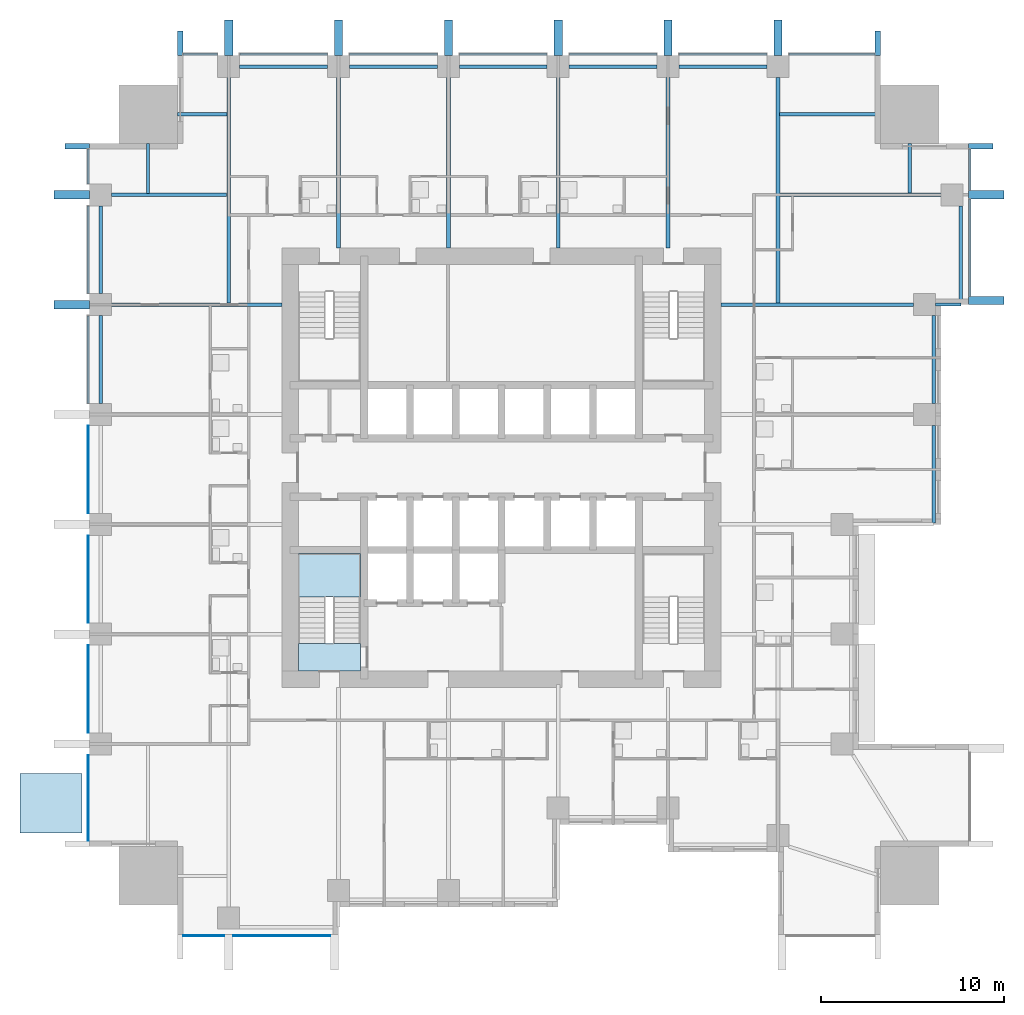
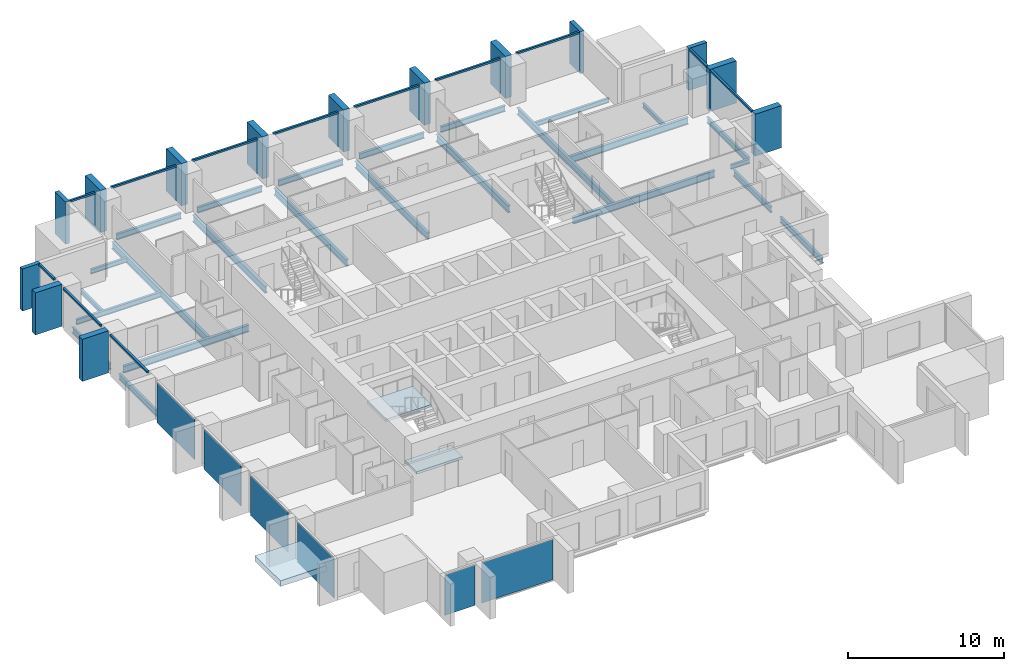
# One storey, part 2 of 10: 26 members, 25 beams, 6 plates, 3 slabs, 5 elements without a shape of their own.
"""IFC4 building model written with IfcOpenShell, lengths in metres."""

from ifc_helpers import new_model, si_unit, direction, frame, origin, origin_2d, place, context, subcontext, project, spatial, polyline, rectangle, i_section, outline, extrude, material, layer, layer_set, material_profile, profile_set, type_object, element, aggregate, save


model = new_model("IFC4")

# Units and contexts
model_context = context("Model", 3, precision=1e-05, world=origin(), true_north=direction((0.0, 1.0)))
body_context = subcontext(model_context, "Body", "Model", "MODEL_VIEW")
ifc_project = project(units=[si_unit("LENGTHUNIT", "METRE"), si_unit("AREAUNIT", "SQUARE_METRE"), si_unit("VOLUMEUNIT", "CUBIC_METRE"), si_unit("PLANEANGLEUNIT", "RADIAN"), si_unit("MASSUNIT", "GRAM", prefix="KILO")], contexts=[model_context])

# Site, building, storey
site_placement = place(None, origin())
site = spatial("IfcSite", under=ifc_project, at=site_placement, CompositionType="ELEMENT")
building_placement = place(site_placement, origin())
building = spatial("IfcBuilding", under=site, at=building_placement, Name="Amberfall Residences", CompositionType="ELEMENT")
storey_placement = place(building_placement, frame((0.0, 0.0, 26.800048828125)))
storey = spatial("IfcBuildingStorey", under=building, at=storey_placement, Name="L06", CompositionType="ELEMENT", Elevation=26.800048828125)

# Curtain wall, members
ifc_material_1 = material(Name="Bronze anodised aluminium and glass", Category="aluminium")
curtain_wall_type = type_object("IfcCurtainWallType", Name="Curtain wall CW1 tower unit", PredefinedType="USERDEFINED", material=ifc_material_1)
curtain_wall_1_placement = place(storey_placement, origin())
curtain_wall_1 = element("IfcCurtainWall", 1, at=curtain_wall_1_placement, inside=storey, type_object=curtain_wall_type, Name="Curtain wall L06 E E9", ObjectType="UNITISED CURTAIN WALL", PredefinedType="USERDEFINED")
ifc_material_2 = material(Name="Bronze anodised aluminium", Category="aluminium")
ifc_material_profile_1 = material_profile(ifc_material_2, rectangle(XDim=0.14990234375, YDim=0.14990234375, at=origin_2d()), Name="CW1 transom 150 x 150 bronze")
ifc_profile_set_1 = profile_set([ifc_material_profile_1], Name="Bronze anodised aluminium")
member_type_1 = type_object("IfcMemberType", Name="CW1 transom 150 x 150 bronze", PredefinedType="USERDEFINED", material=ifc_profile_set_1)
member_1_placement = place(storey_placement, frame((100.074951171875, 54.85009765625, 2.974853515625), z_axis=(0.0, 1.0, 0.0), x_axis=(-1.0, 0.0, 0.0)))
member_1 = element("IfcMember", 2, at=member_1_placement, type_object=member_type_1, Name="CW1 transom 1.1", ObjectType="TRANSOM", PredefinedType="USERDEFINED", context=body_context, shape_type="SweptSolid", body=[
    extrude(rectangle(XDim=0.14990234375, YDim=0.14990234375, at=origin_2d()), origin(), (0.0, 0.0, 1.0), 5.324951171875),
])
member_2_placement = place(storey_placement, frame((100.074951171875, 60.625, 2.974853515625), z_axis=(0.0, 1.0, 0.0), x_axis=(-1.0, 0.0, 0.0)))
member_2 = element("IfcMember", 3, at=member_2_placement, type_object=member_type_1, Name="CW1 transom 2.1", ObjectType="TRANSOM", PredefinedType="USERDEFINED", context=body_context, shape_type="SweptSolid", body=[
    extrude(rectangle(XDim=0.14990234375, YDim=0.14990234375, at=origin_2d()), origin(), (0.0, 0.0, 1.0), 2.27490234375),
])

curtain_wall_2_placement = place(storey_placement, origin())
curtain_wall_2 = element("IfcCurtainWall", 4, at=curtain_wall_2_placement, inside=storey, type_object=curtain_wall_type, Name="Curtain wall L06 N N1", ObjectType="UNITISED CURTAIN WALL", PredefinedType="USERDEFINED")
member_3_placement = place(storey_placement, frame((94.89990234375, 68.074951171875, 2.974853515625), z_axis=(-1.0, 0.0, 0.0), x_axis=(0.0, -1.0, 0.0)))
member_3 = element("IfcMember", 5, at=member_3_placement, type_object=member_type_1, Name="CW1 transom 1.1", ObjectType="TRANSOM", PredefinedType="USERDEFINED", context=body_context, shape_type="SweptSolid", body=[
    extrude(rectangle(XDim=0.14990234375, YDim=0.14990234375, at=origin_2d()), origin(), (0.0, 0.0, 1.0), 4.69482421875),
])
member_4_placement = place(storey_placement, frame((88.9951171875, 68.074951171875, 2.974853515625), z_axis=(-1.0, 0.0, 0.0), x_axis=(0.0, -1.0, 0.0)))
member_4 = element("IfcMember", 6, at=member_4_placement, type_object=member_type_1, Name="CW1 transom 2.1", ObjectType="TRANSOM", PredefinedType="USERDEFINED", context=body_context, shape_type="SweptSolid", body=[
    extrude(rectangle(XDim=0.14990234375, YDim=0.14990234375, at=origin_2d()), origin(), (0.0, 0.0, 1.0), 4.7900390625),
])
member_5_placement = place(storey_placement, frame((82.9951171875, 68.074951171875, 2.974853515625), z_axis=(-1.0, 0.0, 0.0), x_axis=(0.0, -1.0, 0.0)))
member_5 = element("IfcMember", 7, at=member_5_placement, type_object=member_type_1, Name="CW1 transom 3.1", ObjectType="TRANSOM", PredefinedType="USERDEFINED", context=body_context, shape_type="SweptSolid", body=[
    extrude(rectangle(XDim=0.14990234375, YDim=0.14990234375, at=origin_2d()), origin(), (0.0, 0.0, 1.0), 4.7900390625),
])
member_6_placement = place(storey_placement, frame((76.9951171875, 68.074951171875, 2.974853515625), z_axis=(-1.0, 0.0, 0.0), x_axis=(0.0, -1.0, 0.0)))
member_6 = element("IfcMember", 8, at=member_6_placement, type_object=member_type_1, Name="CW1 transom 4.1", ObjectType="TRANSOM", PredefinedType="USERDEFINED", context=body_context, shape_type="SweptSolid", body=[
    extrude(rectangle(XDim=0.14990234375, YDim=0.14990234375, at=origin_2d()), origin(), (0.0, 0.0, 1.0), 4.7900390625),
])
member_7_placement = place(storey_placement, frame((70.9951171875, 68.074951171875, 2.974853515625), z_axis=(-1.0, 0.0, 0.0), x_axis=(0.0, -1.0, 0.0)))
member_7 = element("IfcMember", 9, at=member_7_placement, type_object=member_type_1, Name="CW1 transom 5.1", ObjectType="TRANSOM", PredefinedType="USERDEFINED", context=body_context, shape_type="SweptSolid", body=[
    extrude(rectangle(XDim=0.14990234375, YDim=0.14990234375, at=origin_2d()), origin(), (0.0, 0.0, 1.0), 4.7900390625),
])
member_8_placement = place(storey_placement, frame((64.9951171875, 68.074951171875, 2.974853515625), z_axis=(-1.0, 0.0, 0.0), x_axis=(0.0, -1.0, 0.0)))
member_8 = element("IfcMember", 10, at=member_8_placement, type_object=member_type_1, Name="CW1 transom 6.1", ObjectType="TRANSOM", PredefinedType="USERDEFINED", context=body_context, shape_type="SweptSolid", body=[
    extrude(rectangle(XDim=0.14990234375, YDim=0.14990234375, at=origin_2d()), origin(), (0.0, 0.0, 1.0), 4.7900390625),
])
member_9_placement = place(storey_placement, frame((58.9951171875, 68.074951171875, 2.974853515625), z_axis=(-1.0, 0.0, 0.0), x_axis=(0.0, -1.0, 0.0)))
member_9 = element("IfcMember", 11, at=member_9_placement, type_object=member_type_1, Name="CW1 transom 7.1", ObjectType="TRANSOM", PredefinedType="USERDEFINED", context=body_context, shape_type="SweptSolid", body=[
    extrude(rectangle(XDim=0.14990234375, YDim=0.14990234375, at=origin_2d()), origin(), (0.0, 0.0, 1.0), 1.89501953125),
])

curtain_wall_3_placement = place(storey_placement, origin())
curtain_wall_3 = element("IfcCurtainWall", 12, at=curtain_wall_3_placement, inside=storey, type_object=curtain_wall_type, Name="Curtain wall L06 W W1", ObjectType="UNITISED CURTAIN WALL", PredefinedType="USERDEFINED")
member_10_placement = place(storey_placement, frame((51.925048828125, 62.89990234375, 2.974853515625), z_axis=(0.0, -1.0, 0.0), x_axis=(1.0, 0.0, 0.0)))
member_10 = element("IfcMember", 13, at=member_10_placement, type_object=member_type_1, Name="CW1 transom 1.1", ObjectType="TRANSOM", PredefinedType="USERDEFINED", context=body_context, shape_type="SweptSolid", body=[
    extrude(rectangle(XDim=0.14990234375, YDim=0.14990234375, at=origin_2d()), origin(), (0.0, 0.0, 1.0), 1.89501953125),
])
member_11_placement = place(storey_placement, frame((51.925048828125, 59.794921875, 2.974853515625), z_axis=(0.0, -1.0, 0.0), x_axis=(1.0, 0.0, 0.0)))
member_11 = element("IfcMember", 14, at=member_11_placement, type_object=member_type_1, Name="CW1 transom 2.1", ObjectType="TRANSOM", PredefinedType="USERDEFINED", context=body_context, shape_type="SweptSolid", body=[
    extrude(rectangle(XDim=0.14990234375, YDim=0.14990234375, at=origin_2d()), origin(), (0.0, 0.0, 1.0), 4.7900390625),
])
member_12_placement = place(storey_placement, frame((51.925048828125, 53.794921875, 2.974853515625), z_axis=(0.0, -1.0, 0.0), x_axis=(1.0, 0.0, 0.0)))
member_12 = element("IfcMember", 15, at=member_12_placement, type_object=member_type_1, Name="CW1 transom 3.1", ObjectType="TRANSOM", PredefinedType="USERDEFINED", context=body_context, shape_type="SweptSolid", body=[
    extrude(rectangle(XDim=0.14990234375, YDim=0.14990234375, at=origin_2d()), origin(), (0.0, 0.0, 1.0), 4.7900390625),
])

# Beam
ifc_material_3 = material(Name="Steel S355", Category="steel")
ifc_material_profile_2 = material_profile(ifc_material_3, i_section(OverallWidth=0.171142578125, OverallDepth=0.351318359375, WebThickness=0.007080078125, FlangeThickness=0.009765625, FilletRadius=0.01025390625, at=origin_2d()), Name="UB 356x171x45")
ifc_profile_set_2 = profile_set([ifc_material_profile_2], Name="Steel S355")
beam_type_1 = type_object("IfcBeamType", Name="Cantilever girder UB 356x171x45", PredefinedType="BEAM", material=ifc_profile_set_2)
beam_1_placement = place(storey_placement, frame((98.199951171875, 54.39990234375, -0.42578125), z_axis=(1.0, 0.0, 0.0), x_axis=(0.0, 1.0, 0.0)))
element("IfcBeam", 16, at=beam_1_placement, inside=storey, type_object=beam_type_1, Name="Cantilever girder B8 L06 21", PredefinedType="BEAM", context=body_context, shape_type="SweptSolid", body=[
    extrude(i_section(OverallWidth=0.171142578125, OverallDepth=0.351318359375, WebThickness=0.007080078125, FlangeThickness=0.009765625, FilletRadius=0.01025390625, at=origin_2d()), origin(), (0.0, 0.0, 1.0), 1.400146484375),
])

# Member
ifc_material_profile_3 = material_profile(ifc_material_2, rectangle(XDim=1.35009765625, YDim=0.300048828125, at=origin_2d()), Name="Corner fin 300 x 1350 bronze")
ifc_profile_set_3 = profile_set([ifc_material_profile_3], Name="Bronze anodised aluminium")
member_type_2 = type_object("IfcMemberType", Name="Corner fin 300 x 1350 bronze", PredefinedType="MULLION", material=ifc_profile_set_3)
member_13_placement = place(storey_placement, frame((100.675048828125, 63.050048828125, -0.25), z_axis=(0.0, 0.0, 1.0), x_axis=(-1.0, 0.0, 0.0)))
member_13 = element("IfcMember", 17, at=member_13_placement, type_object=member_type_2, Name="CW FIN 3", PredefinedType="MULLION", context=body_context, shape_type="SweptSolid", body=[
    extrude(rectangle(XDim=1.35009765625, YDim=0.300048828125, at=origin_2d()), origin(), (0.0, 0.0, 1.0), 3.300048828125),
])

member_14_placement = place(storey_placement, frame((95.050048828125, 68.675048828125, -0.25), z_axis=(0.0, 0.0, 1.0), x_axis=(0.0, -1.0, 0.0)))
member_14 = element("IfcMember", 18, at=member_14_placement, type_object=member_type_2, Name="CW FIN 1", PredefinedType="MULLION", context=body_context, shape_type="SweptSolid", body=[
    extrude(rectangle(XDim=1.35009765625, YDim=0.300048828125, at=origin_2d()), origin(), (0.0, 0.0, 1.0), 3.300048828125),
])

member_15_placement = place(storey_placement, frame((56.949951171875, 68.675048828125, -0.25), z_axis=(0.0, 0.0, 1.0), x_axis=(0.0, -1.0, 0.0)))
member_15 = element("IfcMember", 19, at=member_15_placement, type_object=member_type_2, Name="CW FIN 8", PredefinedType="MULLION", context=body_context, shape_type="SweptSolid", body=[
    extrude(rectangle(XDim=1.35009765625, YDim=0.300048828125, at=origin_2d()), origin(), (0.0, 0.0, 1.0), 3.300048828125),
])

member_16_placement = place(storey_placement, frame((51.324951171875, 63.050048828125, -0.25), z_axis=(0.0, 0.0, 1.0), x_axis=(1.0, 0.0, 0.0)))
member_16 = element("IfcMember", 20, at=member_16_placement, type_object=member_type_2, Name="CW FIN 1", PredefinedType="MULLION", context=body_context, shape_type="SweptSolid", body=[
    extrude(rectangle(XDim=1.35009765625, YDim=0.300048828125, at=origin_2d()), origin(), (0.0, 0.0, 1.0), 3.300048828125),
])

# Beams
ifc_material_profile_4 = material_profile(ifc_material_3, i_section(OverallWidth=0.18994140625, OverallDepth=0.453369140625, WebThickness=0.008544921875, FlangeThickness=0.0126953125, FilletRadius=0.01025390625, at=origin_2d()), Name="UB 457x191x67")
ifc_profile_set_4 = profile_set([ifc_material_profile_4], Name="Steel S355")
beam_type_2 = type_object("IfcBeamType", Name="Edge beam UB 457x191x67", PredefinedType="SPANDREL", material=ifc_profile_set_4)
beam_2_placement = place(storey_placement, frame((98.10009765625, 42.47998046875, -0.476806640625), z_axis=(0.0, 1.0, 0.0), x_axis=(-1.0, 0.0, 0.0)))
element("IfcBeam", 21, at=beam_2_placement, inside=storey, type_object=beam_type_2, Name="Edge beam B1 L06 17", PredefinedType="SPANDREL", context=body_context, shape_type="SweptSolid", body=[
    extrude(i_section(OverallWidth=0.18994140625, OverallDepth=0.453369140625, WebThickness=0.008544921875, FlangeThickness=0.0126953125, FilletRadius=0.01025390625, at=origin_2d()), origin(), (0.0, 0.0, 1.0), 5.320068359375),
])
beam_3_placement = place(storey_placement, frame((98.10009765625, 49.0, -0.476806640625), z_axis=(0.0, 1.0, 0.0), x_axis=(-1.0, 0.0, 0.0)))
element("IfcBeam", 22, at=beam_3_placement, inside=storey, type_object=beam_type_2, Name="Edge beam B1 L06 18", PredefinedType="SPANDREL", context=body_context, shape_type="SweptSolid", body=[
    extrude(i_section(OverallWidth=0.18994140625, OverallDepth=0.453369140625, WebThickness=0.008544921875, FlangeThickness=0.0126953125, FilletRadius=0.01025390625, at=origin_2d()), origin(), (0.0, 0.0, 1.0), 4.800048828125),
])
beam_4_placement = place(storey_placement, frame((99.60009765625, 54.47998046875, -0.476806640625), z_axis=(0.0, 1.0, 0.0), x_axis=(-1.0, 0.0, 0.0)))
element("IfcBeam", 23, at=beam_4_placement, inside=storey, type_object=beam_type_2, Name="Edge beam B1 L06 19", PredefinedType="SPANDREL", context=body_context, shape_type="SweptSolid", body=[
    extrude(i_section(OverallWidth=0.18994140625, OverallDepth=0.453369140625, WebThickness=0.008544921875, FlangeThickness=0.0126953125, FilletRadius=0.01025390625, at=origin_2d()), origin(), (0.0, 0.0, 1.0), 5.320068359375),
])
for number, where, z_axis, x_axis, name in (
    (24, (60.199951171875, 67.39990234375, -0.476806640625), (1.0, 0.0, 0.0), (0.0, 1.0, 0.0), "Edge beam B1 L06 28"),
    (25, (66.199951171875, 67.39990234375, -0.476806640625), (1.0, 0.0, 0.0), (0.0, 1.0, 0.0), "Edge beam B1 L06 29"),
    (26, (72.199951171875, 67.39990234375, -0.476806640625), (1.0, 0.0, 0.0), (0.0, 1.0, 0.0), "Edge beam B1 L06 30"),
    (27, (78.199951171875, 67.39990234375, -0.476806640625), (1.0, 0.0, 0.0), (0.0, 1.0, 0.0), "Edge beam B1 L06 31"),
    (28, (84.199951171875, 67.39990234375, -0.476806640625), (1.0, 0.0, 0.0), (0.0, 1.0, 0.0), "Edge beam B1 L06 32"),
    (29, (52.60009765625, 49.0, -0.476806640625), (0.0, 1.0, 0.0), (-1.0, 0.0, 0.0), "Edge beam B1 L06 42"),
    (30, (52.60009765625, 55.0, -0.476806640625), (0.0, 1.0, 0.0), (-1.0, 0.0, 0.0), "Edge beam B1 L06 43"),
):
    element("IfcBeam", number, at=place(storey_placement, frame(where, z_axis=z_axis, x_axis=x_axis)), inside=storey, type_object=beam_type_2, Name=name, PredefinedType="SPANDREL", context=body_context, shape_type="SweptSolid", body=[
        extrude(i_section(OverallWidth=0.18994140625, OverallDepth=0.453369140625, WebThickness=0.008544921875, FlangeThickness=0.0126953125, FilletRadius=0.01025390625, at=origin_2d()), origin(), (0.0, 0.0, 1.0), 4.800048828125),
    ])

# Member
ifc_material_profile_5 = material_profile(ifc_material_2, rectangle(XDim=1.949951171875, YDim=0.449951171875, at=origin_2d()), Name="Fin 450 x 1950 bronze")
ifc_profile_set_5 = profile_set([ifc_material_profile_5], Name="Bronze anodised aluminium")
member_type_3 = type_object("IfcMemberType", Name="Fin 450 x 1950 bronze", PredefinedType="MULLION", material=ifc_profile_set_5)
member_17_placement = place(storey_placement, frame((100.97509765625, 54.625, -0.25), z_axis=(0.0, 0.0, 1.0), x_axis=(-1.0, 0.0, 0.0)))
member_17 = element("IfcMember", 31, at=member_17_placement, type_object=member_type_3, Name="CW FIN 1", PredefinedType="MULLION", context=body_context, shape_type="SweptSolid", body=[
    extrude(rectangle(XDim=1.949951171875, YDim=0.449951171875, at=origin_2d()), origin(), (0.0, 0.0, 1.0), 3.300048828125),
])

member_18_placement = place(storey_placement, frame((100.97509765625, 60.39990234375, -0.25), z_axis=(0.0, 0.0, 1.0), x_axis=(-1.0, 0.0, 0.0)))
member_18 = element("IfcMember", 32, at=member_18_placement, type_object=member_type_3, Name="CW FIN 2", PredefinedType="MULLION", context=body_context, shape_type="SweptSolid", body=[
    extrude(rectangle(XDim=1.949951171875, YDim=0.449951171875, at=origin_2d()), origin(), (0.0, 0.0, 1.0), 3.300048828125),
])

aggregate(curtain_wall_1, [member_17, member_18, member_13, member_1, member_2])

member_19_placement = place(storey_placement, frame((89.60009765625, 68.97509765625, -0.25), z_axis=(0.0, 0.0, 1.0), x_axis=(0.0, -1.0, 0.0)))
member_19 = element("IfcMember", 33, at=member_19_placement, type_object=member_type_3, Name="CW FIN 2", PredefinedType="MULLION", context=body_context, shape_type="SweptSolid", body=[
    extrude(rectangle(XDim=1.949951171875, YDim=0.449951171875, at=origin_2d()), origin(), (0.0, 0.0, 1.0), 3.300048828125),
])

member_20_placement = place(storey_placement, frame((83.60009765625, 68.97509765625, -0.25), z_axis=(0.0, 0.0, 1.0), x_axis=(0.0, -1.0, 0.0)))
member_20 = element("IfcMember", 34, at=member_20_placement, type_object=member_type_3, Name="CW FIN 3", PredefinedType="MULLION", context=body_context, shape_type="SweptSolid", body=[
    extrude(rectangle(XDim=1.949951171875, YDim=0.449951171875, at=origin_2d()), origin(), (0.0, 0.0, 1.0), 3.300048828125),
])

member_21_placement = place(storey_placement, frame((77.60009765625, 68.97509765625, -0.25), z_axis=(0.0, 0.0, 1.0), x_axis=(0.0, -1.0, 0.0)))
member_21 = element("IfcMember", 35, at=member_21_placement, type_object=member_type_3, Name="CW FIN 4", PredefinedType="MULLION", context=body_context, shape_type="SweptSolid", body=[
    extrude(rectangle(XDim=1.949951171875, YDim=0.449951171875, at=origin_2d()), origin(), (0.0, 0.0, 1.0), 3.300048828125),
])

member_22_placement = place(storey_placement, frame((71.60009765625, 68.97509765625, -0.25), z_axis=(0.0, 0.0, 1.0), x_axis=(0.0, -1.0, 0.0)))
member_22 = element("IfcMember", 36, at=member_22_placement, type_object=member_type_3, Name="CW FIN 5", PredefinedType="MULLION", context=body_context, shape_type="SweptSolid", body=[
    extrude(rectangle(XDim=1.949951171875, YDim=0.449951171875, at=origin_2d()), origin(), (0.0, 0.0, 1.0), 3.300048828125),
])

member_23_placement = place(storey_placement, frame((65.60009765625, 68.97509765625, -0.25), z_axis=(0.0, 0.0, 1.0), x_axis=(0.0, -1.0, 0.0)))
member_23 = element("IfcMember", 37, at=member_23_placement, type_object=member_type_3, Name="CW FIN 6", PredefinedType="MULLION", context=body_context, shape_type="SweptSolid", body=[
    extrude(rectangle(XDim=1.949951171875, YDim=0.449951171875, at=origin_2d()), origin(), (0.0, 0.0, 1.0), 3.300048828125),
])

member_24_placement = place(storey_placement, frame((59.60009765625, 68.97509765625, -0.25), z_axis=(0.0, 0.0, 1.0), x_axis=(0.0, -1.0, 0.0)))
member_24 = element("IfcMember", 38, at=member_24_placement, type_object=member_type_3, Name="CW FIN 7", PredefinedType="MULLION", context=body_context, shape_type="SweptSolid", body=[
    extrude(rectangle(XDim=1.949951171875, YDim=0.449951171875, at=origin_2d()), origin(), (0.0, 0.0, 1.0), 3.300048828125),
])

aggregate(curtain_wall_2, [member_14, member_19, member_20, member_21, member_22, member_23, member_24, member_15, member_3, member_4, member_5, member_6, member_7, member_8, member_9])

member_25_placement = place(storey_placement, frame((51.02490234375, 60.39990234375, -0.25), z_axis=(0.0, 0.0, 1.0), x_axis=(1.0, 0.0, 0.0)))
member_25 = element("IfcMember", 39, at=member_25_placement, type_object=member_type_3, Name="CW FIN 2", PredefinedType="MULLION", context=body_context, shape_type="SweptSolid", body=[
    extrude(rectangle(XDim=1.949951171875, YDim=0.449951171875, at=origin_2d()), origin(), (0.0, 0.0, 1.0), 3.300048828125),
])

member_26_placement = place(storey_placement, frame((51.02490234375, 54.39990234375, -0.25), z_axis=(0.0, 0.0, 1.0), x_axis=(1.0, 0.0, 0.0)))
member_26 = element("IfcMember", 40, at=member_26_placement, type_object=member_type_3, Name="CW FIN 3", PredefinedType="MULLION", context=body_context, shape_type="SweptSolid", body=[
    extrude(rectangle(XDim=1.949951171875, YDim=0.449951171875, at=origin_2d()), origin(), (0.0, 0.0, 1.0), 3.300048828125),
])

# Beams
ifc_material_profile_6 = material_profile(ifc_material_3, i_section(OverallWidth=0.177734375, OverallDepth=0.402587890625, WebThickness=0.0078125, FlangeThickness=0.010986328125, FilletRadius=0.01025390625, at=origin_2d()), Name="UB 406x178x54")
ifc_profile_set_6 = profile_set([ifc_material_profile_6], Name="Steel S355")
beam_type_3 = type_object("IfcBeamType", Name="Floor girder UB 406x178x54", PredefinedType="BEAM", material=ifc_profile_set_6)
beam_5_placement = place(storey_placement, frame((53.199951171875, 60.39990234375, -0.451416015625), z_axis=(1.0, 0.0, 0.0), x_axis=(0.0, 1.0, 0.0)))
element("IfcBeam", 41, at=beam_5_placement, inside=storey, type_object=beam_type_3, Name="Floor girder B4 L06 49", PredefinedType="BEAM", context=body_context, shape_type="SweptSolid", body=[
    extrude(i_section(OverallWidth=0.177734375, OverallDepth=0.402587890625, WebThickness=0.0078125, FlangeThickness=0.010986328125, FilletRadius=0.01025390625, at=origin_2d()), origin(), (0.0, 0.0, 1.0), 6.280029296875),
])
ifc_material_profile_7 = material_profile(ifc_material_3, i_section(OverallWidth=0.210693359375, OverallDepth=0.53955078125, WebThickness=0.01171875, FlangeThickness=0.018798828125, FilletRadius=0.0126953125, at=origin_2d()), Name="UB 533x210x109")
ifc_profile_set_7 = profile_set([ifc_material_profile_7], Name="Steel S355")
beam_type_4 = type_object("IfcBeamType", Name="Floor girder UB 533x210x109", PredefinedType="BEAM", material=ifc_profile_set_7)
for number, where, z_axis, x_axis, name in (
    (42, (59.60009765625, 66.800048828125, -0.519775390625), (0.0, -1.0, 0.0), (1.0, 0.0, 0.0), "Floor girder B2 L06 33"),
    (43, (89.60009765625, 66.800048828125, -0.519775390625), (0.0, -1.0, 0.0), (1.0, 0.0, 0.0), "Floor girder B2 L06 38"),
):
    element("IfcBeam", number, at=place(storey_placement, frame(where, z_axis=z_axis, x_axis=x_axis)), inside=storey, type_object=beam_type_4, Name=name, PredefinedType="BEAM", context=body_context, shape_type="SweptSolid", body=[
        extrude(i_section(OverallWidth=0.210693359375, OverallDepth=0.53955078125, WebThickness=0.01171875, FlangeThickness=0.018798828125, FilletRadius=0.0126953125, at=origin_2d()), origin(), (0.0, 0.0, 1.0), 12.300537109375),
    ])
ifc_material_profile_8 = material_profile(ifc_material_3, i_section(OverallWidth=0.209228515625, OverallDepth=0.533203125, WebThickness=0.010009765625, FlangeThickness=0.015625, FilletRadius=0.0126953125, at=origin_2d()), Name="UB 533x210x92")
ifc_profile_set_8 = profile_set([ifc_material_profile_8], Name="Steel S355")
beam_type_5 = type_object("IfcBeamType", Name="Floor girder UB 533x210x92", PredefinedType="BEAM", material=ifc_profile_set_8)
beam_6_placement = place(storey_placement, frame((97.0, 54.39990234375, -0.5166015625), z_axis=(-1.0, 0.0, 0.0), x_axis=(0.0, -1.0, 0.0)))
element("IfcBeam", 44, at=beam_6_placement, inside=storey, type_object=beam_type_5, Name="Floor girder B3 L06 26", PredefinedType="BEAM", context=body_context, shape_type="SweptSolid", body=[
    extrude(i_section(OverallWidth=0.209228515625, OverallDepth=0.533203125, WebThickness=0.010009765625, FlangeThickness=0.015625, FilletRadius=0.0126953125, at=origin_2d()), origin(), (0.0, 0.0, 1.0), 10.5),
])
beam_7_placement = place(storey_placement, frame((98.5, 60.39990234375, -0.5166015625), z_axis=(-1.0, 0.0, 0.0), x_axis=(0.0, -1.0, 0.0)))
element("IfcBeam", 45, at=beam_7_placement, inside=storey, type_object=beam_type_5, Name="Floor girder B3 L06 27", PredefinedType="BEAM", context=body_context, shape_type="SweptSolid", body=[
    extrude(i_section(OverallWidth=0.209228515625, OverallDepth=0.533203125, WebThickness=0.010009765625, FlangeThickness=0.015625, FilletRadius=0.0126953125, at=origin_2d()), origin(), (0.0, 0.0, 1.0), 8.780029296875),
])
for number, where, z_axis, x_axis, name in (
    (46, (65.60009765625, 66.800048828125, -0.5166015625), (0.0, -1.0, 0.0), (1.0, 0.0, 0.0), "Floor girder B3 L06 34"),
    (47, (71.60009765625, 66.800048828125, -0.5166015625), (0.0, -1.0, 0.0), (1.0, 0.0, 0.0), "Floor girder B3 L06 35"),
    (48, (77.60009765625, 66.800048828125, -0.5166015625), (0.0, -1.0, 0.0), (1.0, 0.0, 0.0), "Floor girder B3 L06 36"),
    (49, (83.60009765625, 66.800048828125, -0.5166015625), (0.0, -1.0, 0.0), (1.0, 0.0, 0.0), "Floor girder B3 L06 37"),
    (50, (53.199951171875, 54.39990234375, -0.5166015625), (1.0, 0.0, 0.0), (0.0, 1.0, 0.0), "Floor girder B3 L06 48"),
):
    element("IfcBeam", number, at=place(storey_placement, frame(where, z_axis=z_axis, x_axis=x_axis)), inside=storey, type_object=beam_type_5, Name=name, PredefinedType="BEAM", context=body_context, shape_type="SweptSolid", body=[
        extrude(i_section(OverallWidth=0.209228515625, OverallDepth=0.533203125, WebThickness=0.010009765625, FlangeThickness=0.015625, FilletRadius=0.0126953125, at=origin_2d()), origin(), (0.0, 0.0, 1.0), 9.300048828125),
    ])
ifc_material_profile_9 = material_profile(ifc_material_3, i_section(OverallWidth=0.171142578125, OverallDepth=0.351318359375, WebThickness=0.007080078125, FlangeThickness=0.009765625, FilletRadius=0.01025390625, at=origin_2d()), Name="UB 356x171x45")
ifc_profile_set_9 = profile_set([ifc_material_profile_9], Name="Steel S355")
beam_type_6 = type_object("IfcBeamType", Name="Link beam UB 356x171x45", PredefinedType="BEAM", material=ifc_profile_set_9)
beam_8_placement = place(storey_placement, frame((95.199951171875, 64.800048828125, -0.42578125), z_axis=(-1.0, 0.0, 0.0), x_axis=(0.0, -1.0, 0.0)))
element("IfcBeam", 51, at=beam_8_placement, inside=storey, type_object=beam_type_6, Name="Link beam B7 L06 54", PredefinedType="BEAM", context=body_context, shape_type="SweptSolid", body=[
    extrude(i_section(OverallWidth=0.171142578125, OverallDepth=0.351318359375, WebThickness=0.007080078125, FlangeThickness=0.009765625, FilletRadius=0.01025390625, at=origin_2d()), origin(), (0.0, 0.0, 1.0), 5.504638671875),
])
beam_9_placement = place(storey_placement, frame((96.800048828125, 63.199951171875, -0.42578125), z_axis=(0.0, -1.0, 0.0), x_axis=(1.0, 0.0, 0.0)))
element("IfcBeam", 52, at=beam_9_placement, inside=storey, type_object=beam_type_6, Name="Link beam B7 L06 55", PredefinedType="BEAM", context=body_context, shape_type="SweptSolid", body=[
    extrude(i_section(OverallWidth=0.171142578125, OverallDepth=0.351318359375, WebThickness=0.007080078125, FlangeThickness=0.009765625, FilletRadius=0.01025390625, at=origin_2d()), origin(), (0.0, 0.0, 1.0), 2.705322265625),
])
beam_10_placement = place(storey_placement, frame((56.800048828125, 64.800048828125, -0.42578125), z_axis=(1.0, 0.0, 0.0), x_axis=(0.0, 1.0, 0.0)))
element("IfcBeam", 53, at=beam_10_placement, inside=storey, type_object=beam_type_6, Name="Link beam B7 L06 56", PredefinedType="BEAM", context=body_context, shape_type="SweptSolid", body=[
    extrude(i_section(OverallWidth=0.171142578125, OverallDepth=0.351318359375, WebThickness=0.007080078125, FlangeThickness=0.009765625, FilletRadius=0.01025390625, at=origin_2d()), origin(), (0.0, 0.0, 1.0), 2.70458984375),
])
beam_11_placement = place(storey_placement, frame((55.199951171875, 63.199951171875, -0.42578125), z_axis=(0.0, -1.0, 0.0), x_axis=(1.0, 0.0, 0.0)))
element("IfcBeam", 54, at=beam_11_placement, inside=storey, type_object=beam_type_6, Name="Link beam B7 L06 57", PredefinedType="BEAM", context=body_context, shape_type="SweptSolid", body=[
    extrude(i_section(OverallWidth=0.171142578125, OverallDepth=0.351318359375, WebThickness=0.007080078125, FlangeThickness=0.009765625, FilletRadius=0.01025390625, at=origin_2d()), origin(), (0.0, 0.0, 1.0), 2.720947265625),
])

# Curtain wall, plates
curtain_wall_4_placement = place(storey_placement, origin())
curtain_wall_4 = element("IfcCurtainWall", 55, at=curtain_wall_4_placement, inside=storey, type_object=curtain_wall_type, Name="Curtain wall L06 S S1", ObjectType="UNITISED CURTAIN WALL", PredefinedType="USERDEFINED")
ifc_material_4 = material(Name="Tinted double glazed unit", Category="glass")
ifc_layer_1 = layer(ifc_material_4, 0.035888671875)
ifc_layer_set_1 = layer_set([ifc_layer_1], Name="CW1 panel 36 glazing")
plate_type = type_object("IfcPlateType", Name="CW1 panel 36 glazing", PredefinedType="CURTAIN_PANEL", material=ifc_layer_set_1)
plate_1_placement = place(storey_placement, frame((58.237548828125, 19.925048828125, -0.25), z_axis=(0.0, 0.0, 1.0), x_axis=(1.0, 0.0, 0.0)))
plate_1 = element("IfcPlate", 56, at=plate_1_placement, type_object=plate_type, Name="CW1 panel 1.1", PredefinedType="CURTAIN_PANEL", context=body_context, shape_type="SweptSolid", body=[
    extrude(rectangle(XDim=2.2509765625, YDim=0.035888671875, at=origin_2d()), origin(), (0.0, 0.0, 1.0), 3.14990234375),
])
plate_2_placement = place(storey_placement, frame((62.487548828125, 19.925048828125, -0.25), z_axis=(0.0, 0.0, 1.0), x_axis=(1.0, 0.0, 0.0)))
plate_2 = element("IfcPlate", 57, at=plate_2_placement, type_object=plate_type, Name="CW1 panel 2.1", PredefinedType="CURTAIN_PANEL", context=body_context, shape_type="SweptSolid", body=[
    extrude(rectangle(XDim=5.301025390625, YDim=0.035888671875, at=origin_2d()), origin(), (0.0, 0.0, 1.0), 3.14990234375),
])
aggregate(curtain_wall_4, [plate_1, plate_2])

# Plate
plate_3_placement = place(storey_placement, frame((51.925048828125, 45.39990234375, -0.25), z_axis=(0.0, 0.0, 1.0), x_axis=(0.0, -1.0, 0.0)))
plate_3 = element("IfcPlate", 58, at=plate_3_placement, type_object=plate_type, Name="CW1 panel 4.1", PredefinedType="CURTAIN_PANEL", context=body_context, shape_type="SweptSolid", body=[
    extrude(rectangle(XDim=4.76611328125, YDim=0.035888671875, at=origin_2d()), origin(), (0.0, 0.0, 1.0), 3.14990234375),
])

plate_4_placement = place(storey_placement, frame((51.925048828125, 39.39990234375, -0.25), z_axis=(0.0, 0.0, 1.0), x_axis=(0.0, -1.0, 0.0)))
plate_4 = element("IfcPlate", 59, at=plate_4_placement, type_object=plate_type, Name="CW1 panel 5.1", PredefinedType="CURTAIN_PANEL", context=body_context, shape_type="SweptSolid", body=[
    extrude(rectangle(XDim=4.76611328125, YDim=0.035888671875, at=origin_2d()), origin(), (0.0, 0.0, 1.0), 3.14990234375),
])

plate_5_placement = place(storey_placement, frame((51.925048828125, 33.39990234375, -0.25), z_axis=(0.0, 0.0, 1.0), x_axis=(0.0, -1.0, 0.0)))
plate_5 = element("IfcPlate", 60, at=plate_5_placement, type_object=plate_type, Name="CW1 panel 6.1", PredefinedType="CURTAIN_PANEL", context=body_context, shape_type="SweptSolid", body=[
    extrude(rectangle(XDim=4.76611328125, YDim=0.035888671875, at=origin_2d()), origin(), (0.0, 0.0, 1.0), 3.14990234375),
])

plate_6_placement = place(storey_placement, frame((51.925048828125, 27.447509765625, -0.25), z_axis=(0.0, 0.0, 1.0), x_axis=(0.0, -1.0, 0.0)))
plate_6 = element("IfcPlate", 61, at=plate_6_placement, type_object=plate_type, Name="CW1 panel 7.1", PredefinedType="CURTAIN_PANEL", context=body_context, shape_type="SweptSolid", body=[
    extrude(rectangle(XDim=4.6708984375, YDim=0.035888671875, at=origin_2d()), origin(), (0.0, 0.0, 1.0), 3.14990234375),
])

aggregate(curtain_wall_3, [member_16, member_25, member_26, member_10, member_11, member_12, plate_3, plate_4, plate_5, plate_6])

# Slab
ifc_material_5 = material(Name="Concrete C40", Category="concrete")
ifc_layer_2 = layer(ifc_material_5, 0.449951171875)
ifc_layer_set_2 = layer_set([ifc_layer_2], Name="School heavy roof slab 450 C40")
slab_type_1 = type_object("IfcSlabType", Name="School heavy roof slab 450 C40", PredefinedType="ROOF", material=ifc_layer_set_2)
slab_1_placement = place(storey_placement, frame((0.0, 0.0, 1.699951171875)))
element("IfcSlab", 62, at=slab_1_placement, inside=storey, type_object=slab_type_1, Name="School lift housing roof", PredefinedType="ROOF", context=body_context, shape_type="SweptSolid", body=[
    extrude(outline(polyline([(48.199951171875, 25.550048828125), (51.60009765625, 25.550048828125), (51.60009765625, 28.800048828125), (48.199951171875, 28.800048828125), (48.199951171875, 25.550048828125)])), origin(), (0.0, 0.0, 1.0), 0.449951171875),
])

# Stair, slabs
stair_type = type_object("IfcStairType", Name="Exit stair 20 risers 165.0 mm", PredefinedType="HALF_TURN_STAIR", material=ifc_material_5)
stair_placement = place(storey_placement, origin())
stair = element("IfcStair", 63, at=stair_placement, inside=storey, type_object=stair_type, Name="L06 Exit stair 1", PredefinedType="HALF_TURN_STAIR")
ifc_layer_3 = layer(ifc_material_5, 0.199951171875)
ifc_layer_set_3 = layer_set([ifc_layer_3], Name="Stair landing 200")
slab_type_2 = type_object("IfcSlabType", Name="Stair landing 200", PredefinedType="LANDING", material=ifc_layer_set_3)
slab_2_placement = place(storey_placement, frame((0.0, 0.0, 1.449951171875)))
slab_2 = element("IfcSlab", 64, at=slab_2_placement, type_object=slab_type_2, Name="ST3 landing 1", PredefinedType="LANDING", context=body_context, shape_type="SweptSolid", body=[
    extrude(outline(polyline([(66.800048828125, 38.419921875), (66.800048828125, 40.800048828125), (63.39990234375, 40.800048828125), (63.39990234375, 38.419921875), (66.800048828125, 38.419921875)])), origin(), (0.0, 0.0, 1.0), 0.199951171875),
])
slab_3_placement = place(storey_placement, frame((0.0, 0.0, -0.199951171875)))
slab_3 = element("IfcSlab", 65, at=slab_3_placement, type_object=slab_type_2, Name="ST3 landing 2", PredefinedType="LANDING", context=body_context, shape_type="SweptSolid", body=[
    extrude(outline(polyline([(66.800048828125, 34.39990234375), (66.800048828125, 35.89990234375), (63.39990234375, 35.89990234375), (63.39990234375, 34.39990234375), (66.800048828125, 34.39990234375)])), origin(), (0.0, 0.0, 1.0), 0.199951171875),
])
aggregate(stair, [slab_2, slab_3])

save(model, "model.ifc")
